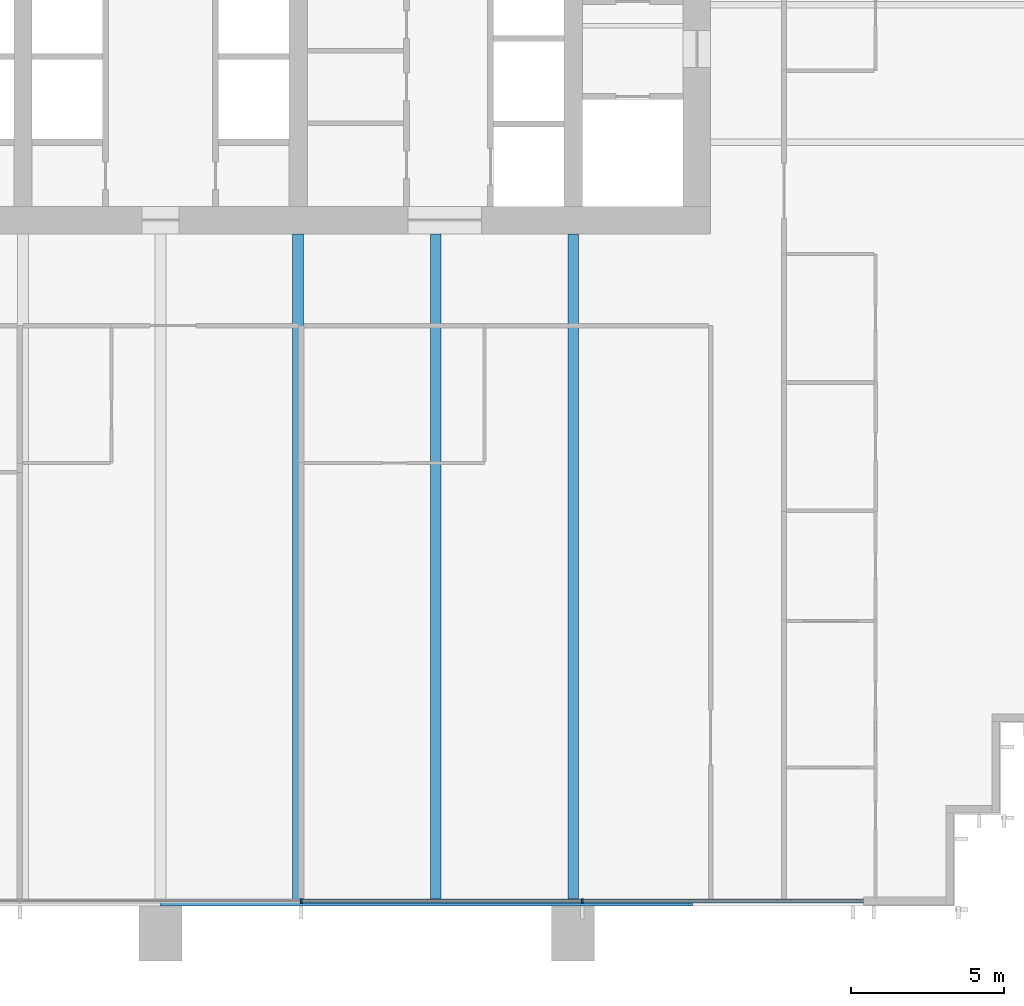
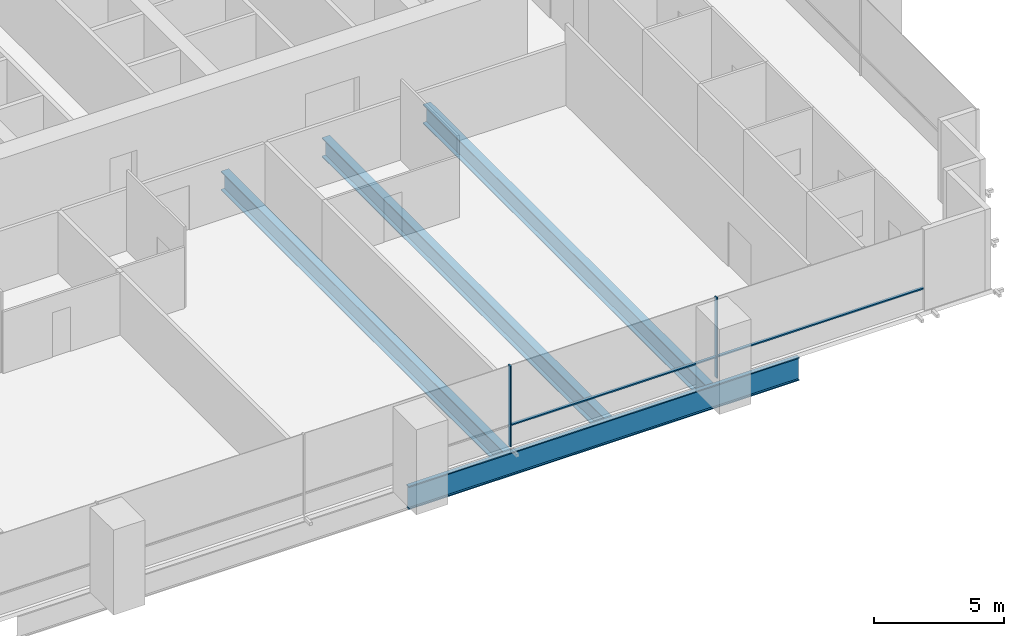
# One storey, part 5 of 15: 4 beams, 4 members, 1 element without a shape of its own.
"""IFC4 building model written with IfcOpenShell, lengths in metres."""

from ifc_helpers import new_model, si_unit, direction, frame, origin, origin_2d, place, context, subcontext, project, spatial, rectangle, i_section, extrude, material, material_profile, profile_set, type_object, element, aggregate, save


model = new_model("IFC4")

# Units and contexts
model_context = context("Model", 3, precision=1e-05, world=origin(), true_north=direction((0.0, 1.0)))
body_context = subcontext(model_context, "Body", "Model", "MODEL_VIEW")
ifc_project = project(units=[si_unit("LENGTHUNIT", "METRE"), si_unit("AREAUNIT", "SQUARE_METRE"), si_unit("VOLUMEUNIT", "CUBIC_METRE"), si_unit("PLANEANGLEUNIT", "RADIAN"), si_unit("MASSUNIT", "GRAM", prefix="KILO")], contexts=[model_context])

# Site, building, storey
site_placement = place(None, origin())
site = spatial("IfcSite", under=ifc_project, at=site_placement, CompositionType="ELEMENT")
building_placement = place(site_placement, origin())
building = spatial("IfcBuilding", under=site, at=building_placement, Name="Rattan Terrace Tower", CompositionType="ELEMENT")
storey_placement = place(building_placement, frame((0.0, 0.0, 142.10009765625)))
storey = spatial("IfcBuildingStorey", under=building, at=storey_placement, Name="L32", CompositionType="ELEMENT", Elevation=142.10009765625)

# Curtain wall, members
ifc_material_1 = material(Name="Aluminium and glass", Category="aluminium")
curtain_wall_type = type_object("IfcCurtainWallType", Name="Facade Unitised Curtain Wall", PredefinedType="NOTDEFINED", material=ifc_material_1)
curtain_wall_placement = place(storey_placement, origin())
curtain_wall = element("IfcCurtainWall", 1, at=curtain_wall_placement, inside=storey, type_object=curtain_wall_type, Name="Curtain wall L32-4", PredefinedType="NOTDEFINED")
ifc_material_2 = material(Name="Aluminium", Category="aluminium")
ifc_material_profile_1 = material_profile(ifc_material_2, rectangle(XDim=0.06005859375, YDim=0.159912109375, at=origin_2d()), Name="Aluminium 60x160")
ifc_profile_set_1 = profile_set([ifc_material_profile_1], Name="Aluminium")
member_type_1 = type_object("IfcMemberType", Name="Facade CW Mullion 60x160", PredefinedType="MULLION", material=ifc_profile_set_1)
member_1_placement = place(storey_placement, frame((4.60302734375, -29.330078125, 0.0), z_axis=(0.0, 0.0, 1.0), x_axis=(1.0, 0.0, 0.0)))
member_1 = element("IfcMember", 2, at=member_1_placement, type_object=member_type_1, Name="Mullion cwl-L32-004.4", PredefinedType="MULLION", context=body_context, shape_type="SweptSolid", body=[
    extrude(rectangle(XDim=0.06005859375, YDim=0.159912109375, at=origin_2d()), origin(), (0.0, 0.0, 1.0), 3.7998046875),
])
member_2_placement = place(storey_placement, frame((13.803955078125, -29.330078125, 0.0), z_axis=(0.0, 0.0, 1.0), x_axis=(1.0, 0.0, 0.0)))
member_2 = element("IfcMember", 3, at=member_2_placement, type_object=member_type_1, Name="Mullion cwl-L32-004.5", PredefinedType="MULLION", context=body_context, shape_type="SweptSolid", body=[
    extrude(rectangle(XDim=0.06005859375, YDim=0.159912109375, at=origin_2d()), origin(), (0.0, 0.0, 1.0), 3.7998046875),
])
ifc_material_3 = material(Name="Aluminium", Category="aluminium")
ifc_material_profile_2 = material_profile(ifc_material_3, rectangle(XDim=0.1201171875, YDim=0.06005859375, at=origin_2d()), Name="Aluminium 120x60")
ifc_profile_set_2 = profile_set([ifc_material_profile_2], Name="Aluminium")
member_type_2 = type_object("IfcMemberType", Name="Facade CW Transom 120x60", PredefinedType="USERDEFINED", material=ifc_profile_set_2)
member_3_placement = place(storey_placement, frame((4.633056640625, -29.330078125, 1.0), z_axis=(1.0, 0.0, 0.0), x_axis=(0.0, 1.0, 0.0)))
member_3 = element("IfcMember", 4, at=member_3_placement, type_object=member_type_2, Name="Transom cwl-L32-004.4", ObjectType="TRANSOM", PredefinedType="USERDEFINED", context=body_context, shape_type="SweptSolid", body=[
    extrude(rectangle(XDim=0.1201171875, YDim=0.06005859375, at=origin_2d()), origin(), (0.0, 0.0, 1.0), 9.140869140625),
])
member_4_placement = place(storey_placement, frame((13.833984375, -29.330078125, 1.0), z_axis=(1.0, 0.0, 0.0), x_axis=(0.0, 1.0, 0.0)))
member_4 = element("IfcMember", 5, at=member_4_placement, type_object=member_type_2, Name="Transom cwl-L32-004.5", ObjectType="TRANSOM", PredefinedType="USERDEFINED", context=body_context, shape_type="SweptSolid", body=[
    extrude(rectangle(XDim=0.1201171875, YDim=0.06005859375, at=origin_2d()), origin(), (0.0, 0.0, 1.0), 9.166015625),
])
aggregate(curtain_wall, [member_1, member_2, member_3, member_4])

# Beams
ifc_material_4 = material(Name="Steel S460", Category="steel")
ifc_material_profile_3 = material_profile(ifc_material_4, i_section(OverallWidth=0.179931640625, OverallDepth=1.10009765625, WebThickness=0.01611328125, FlangeThickness=0.050048828125, at=origin_2d()), Name="PG 1100x180-16-50")
ifc_profile_set_3 = profile_set([ifc_material_profile_3], Name="Steel S460")
beam_type_1 = type_object("IfcBeamType", Name="Frame edge girder PG 1100x180-16-50", PredefinedType="SPANDREL", material=ifc_profile_set_3)
beam_placement = place(storey_placement, frame((17.39990234375, -29.409912109375, -0.75), z_axis=(-1.0, 0.0, 0.0), x_axis=(0.0, -1.0, 0.0)))
element("IfcBeam", 6, at=beam_placement, inside=storey, type_object=beam_type_1, Name="gdr-L32-002", PredefinedType="SPANDREL", context=body_context, shape_type="SweptSolid", body=[
    extrude(i_section(OverallWidth=0.179931640625, OverallDepth=1.10009765625, WebThickness=0.01611328125, FlangeThickness=0.050048828125, at=origin_2d()), origin(), (0.0, 0.0, 1.0), 17.39990234375),
])
ifc_material_5 = material(Name="Steel S460", Category="steel")
ifc_material_profile_4 = material_profile(ifc_material_5, i_section(OverallWidth=0.35009765625, OverallDepth=0.89990234375, WebThickness=0.013916015625, FlangeThickness=0.0400390625, at=origin_2d()), Name="PG 900x350-14-40")
ifc_profile_set_4 = profile_set([ifc_material_profile_4], Name="Steel S460")
beam_type_2 = type_object("IfcBeamType", Name="Frame floor beam PG 900x350-14-40", PredefinedType="JOIST", material=ifc_profile_set_4)
for number, where, z_axis, x_axis, name in (
    (7, (4.5, -29.320068359375, -0.650146484375), (0.0, 1.0, 0.0), (-1.0, 0.0, 0.0), "bm-L32-007"),
    (8, (9.0, -29.320068359375, -0.650146484375), (0.0, 1.0, 0.0), (-1.0, 0.0, 0.0), "bm-L32-008"),
    (9, (13.5, -29.320068359375, -0.650146484375), (0.0, 1.0, 0.0), (-1.0, 0.0, 0.0), "bm-L32-009"),
):
    element("IfcBeam", number, at=place(storey_placement, frame(where, z_axis=z_axis, x_axis=x_axis)), inside=storey, type_object=beam_type_2, Name=name, PredefinedType="JOIST", context=body_context, shape_type="SweptSolid", body=[
        extrude(i_section(OverallWidth=0.35009765625, OverallDepth=0.89990234375, WebThickness=0.013916015625, FlangeThickness=0.0400390625, at=origin_2d()), origin(), (0.0, 0.0, 1.0), 21.820068359375),
    ])

save(model, "model.ifc")
